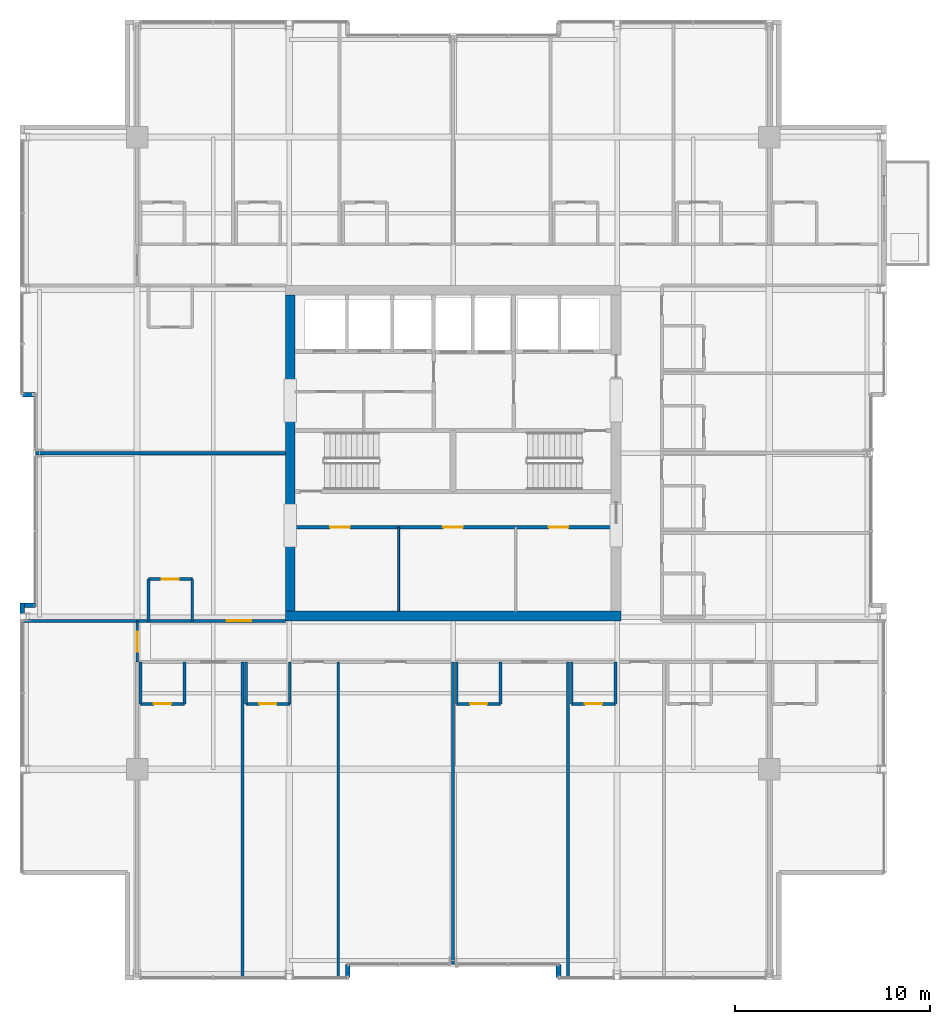
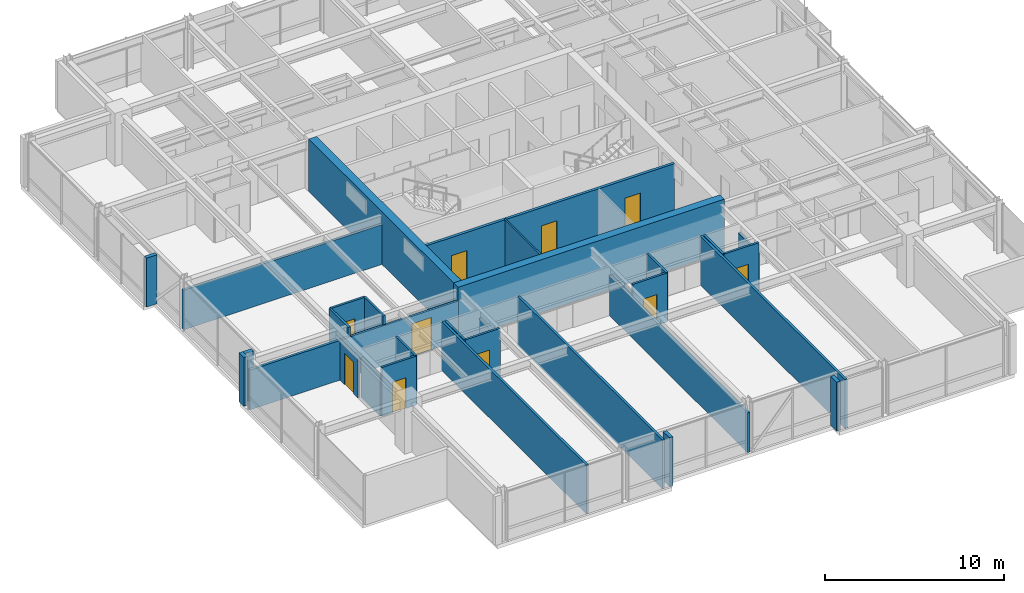
# One storey, part 26 of 33: 32 walls, 10 doors, 10 openings.
"""IFC4 building model written with IfcOpenShell, lengths in metres."""

from ifc_helpers import new_model, si_unit, direction, frame, frame_2d, origin, place, context, subcontext, project, spatial, rectangle, extrude, material, layer, layer_set, type_object, element, fill, save


model = new_model("IFC4")

# Units and contexts
model_context = context("Model", 3, precision=1e-05, world=origin(), true_north=direction((0.0, 1.0)))
body_context = subcontext(model_context, "Body", "Model", "MODEL_VIEW")
ifc_project = project(units=[si_unit("LENGTHUNIT", "METRE"), si_unit("AREAUNIT", "SQUARE_METRE"), si_unit("VOLUMEUNIT", "CUBIC_METRE"), si_unit("PLANEANGLEUNIT", "RADIAN"), si_unit("MASSUNIT", "GRAM", prefix="KILO")], contexts=[model_context])

# Site, building, storey
site_placement = place(None, origin())
site = spatial("IfcSite", under=ifc_project, at=site_placement, CompositionType="ELEMENT")
building_placement = place(site_placement, origin())
building = spatial("IfcBuilding", under=site, at=building_placement, Name="Drelvath Grand Hotel", CompositionType="ELEMENT")
storey_placement = place(building_placement, frame((0.0, 0.0, 212.300048828125)))
storey = spatial("IfcBuildingStorey", under=building, at=storey_placement, Name="L55", CompositionType="ELEMENT", Elevation=212.300048828125)

# Wall
ifc_material_1 = material(Name="Gypsum Partition Board")
ifc_layer_1 = layer(ifc_material_1, 0.10009765625)
ifc_layer_set_1 = layer_set([ifc_layer_1], Name="Gypsum Partition Board")
wall_type_1 = type_object("IfcWallType", Name="Core Closet Partition 100", PredefinedType="PARTITIONING", material=ifc_layer_set_1)
wall_1_placement = place(storey_placement, frame((-2.800048828125, 18.89990234375, 0.0), z_axis=(0.0, 0.0, 1.0), x_axis=(0.0, 1.0, 0.0)))
element("IfcWall", 1, at=wall_1_placement, inside=storey, type_object=wall_type_1, Name="L55 Upper Core Split 1A", PredefinedType="PARTITIONING", context=body_context, shape_type="SweptSolid", body=[
    extrude(rectangle(XDim=4.300048828125, YDim=0.10009765625, at=frame_2d((2.14990234375, 0.0))), origin(), (0.0, 0.0, 1.0), 3.33984375),
])

# Wall, opening, door
ifc_material_2 = material(Name="Gypsum Fireboard Partition")
ifc_layer_2 = layer(ifc_material_2, 0.135009765625)
ifc_layer_set_2 = layer_set([ifc_layer_2], Name="Gypsum Fireboard Partition")
wall_type_2 = type_object("IfcWallType", Name="Corridor Fire Barrier Wall 135", PredefinedType="PARTITIONING", material=ifc_layer_set_2)
wall_2_placement = place(storey_placement, frame((-16.199951171875, 18.39990234375, 0.0), z_axis=(0.0, 0.0, 1.0), x_axis=(1.0, 0.0, 0.0)))
wall_2 = element("IfcWall", 2, at=wall_2_placement, inside=storey, type_object=wall_type_2, Name="L55 South Gallery Inner West Wall", PredefinedType="PARTITIONING", context=body_context, shape_type="SweptSolid", body=[
    extrude(rectangle(XDim=7.599853515625, YDim=0.135009765625, at=frame_2d((3.7998046875, 0.0))), origin(), (0.0, 0.0, 1.0), 2.71728515625),
])
opening_1_placement = place(wall_2_placement, frame((4.5849609375, 0.0, 0.0)))
opening_1 = element("IfcOpeningElement", 3, at=opening_1_placement, cuts=wall_2, Name="Opening D-T4G1-056", PredefinedType="OPENING", context=body_context, shape_type="SweptSolid", body=[
    extrude(rectangle(XDim=1.260009765625, YDim=2.199951171875, at=frame_2d((0.6298828125, 1.10009765625))), frame((0.0, 0.077392578125, 0.0), z_axis=(0.0, -1.0, 0.0), x_axis=(1.0, 0.0, 0.0)), (0.0, 0.0, 1.0), 0.155029296875),
])
ifc_material_3 = material(Name="Hardwood Walnut Timber", Category="wood")
door_type_1 = type_object("IfcDoorType", Name="Suite Entrance Fire Door 1260x2200", OperationType="NOTDEFINED", PredefinedType="DOOR", material=ifc_material_3)
door_1_placement = place(opening_1_placement, origin())
door_1 = element("IfcDoor", 4, at=door_1_placement, inside=storey, type_object=door_type_1, Name="L55 Diplomatic Suite Entry Door", OperationType="SINGLE_SWING_LEFT", OverallHeight=2.199951171875, OverallWidth=1.260009765625, PredefinedType="DOOR", context=body_context, shape_type="SweptSolid", body=[
    extrude(rectangle(XDim=1.260009765625, YDim=2.199951171875, at=frame_2d((0.6298828125, 1.10009765625))), frame((0.0, 0.02490234375, 0.0), z_axis=(0.0, -1.0, 0.0), x_axis=(1.0, 0.0, 0.0)), (0.0, 0.0, 1.0), 0.050048828125),
])
fill(opening_1, door_1)

wall_3_placement = place(storey_placement, frame((-16.199951171875, 16.300048828125, 0.0), z_axis=(0.0, 0.0, 1.0), x_axis=(0.0, 1.0, 0.0)))
wall_3 = element("IfcWall", 5, at=wall_3_placement, inside=storey, type_object=wall_type_2, Name="L55 South Gallery West End", PredefinedType="PARTITIONING", context=body_context, shape_type="SweptSolid", body=[
    extrude(rectangle(XDim=2.099853515625, YDim=0.135009765625, at=frame_2d((1.0498046875, 0.0))), origin(), (0.0, 0.0, 1.0), 2.7138671875),
])
opening_2_placement = place(wall_3_placement, frame((0.52001953125, 0.0, 0.0)))
opening_2 = element("IfcOpeningElement", 6, at=opening_2_placement, cuts=wall_3, Name="Opening D-T4G1-019", PredefinedType="OPENING", context=body_context, shape_type="SweptSolid", body=[
    extrude(rectangle(XDim=1.02001953125, YDim=2.14990234375, at=frame_2d((0.510009765625, 1.074951171875))), frame((0.0, 0.077392578125, 0.0), z_axis=(0.0, -1.0, 0.0), x_axis=(1.0, 0.0, 0.0)), (0.0, 0.0, 1.0), 0.155029296875),
])
door_type_2 = type_object("IfcDoorType", Name="Amenity Meeting Fire Door 1020x2150", OperationType="NOTDEFINED", PredefinedType="DOOR", material=ifc_material_3)
door_2_placement = place(opening_2_placement, origin())
door_2 = element("IfcDoor", 7, at=door_2_placement, inside=storey, type_object=door_type_2, Name="L55 Corner Panorama Lounge Door", OperationType="SINGLE_SWING_RIGHT", OverallHeight=2.14990234375, OverallWidth=1.02001953125, PredefinedType="DOOR", context=body_context, shape_type="SweptSolid", body=[
    extrude(rectangle(XDim=1.02001953125, YDim=2.14990234375, at=frame_2d((0.510009765625, 1.074951171875))), frame((0.0, 0.02490234375, 0.0), z_axis=(0.0, -1.0, 0.0), x_axis=(1.0, 0.0, 0.0)), (0.0, 0.0, 1.0), 0.050048828125),
])
fill(opening_2, door_2)

# Walls
ifc_material_4 = material(Name="Moisture-Resistant Gypsum Board")
ifc_layer_3 = layer(ifc_material_4, 0.139892578125)
ifc_layer_set_3 = layer_set([ifc_layer_3], Name="Moisture-Resistant Gypsum Board")
wall_type_3 = type_object("IfcWallType", Name="En-Suite Plumbing Wall 140", PredefinedType="PLUMBINGWALL", material=ifc_layer_set_3)
wall_4_placement = place(storey_placement, frame((-16.02001953125, 16.300048828125, 0.0), z_axis=(0.0, 0.0, 1.0), x_axis=(0.0, -1.0, 0.0)))
element("IfcWall", 8, at=wall_4_placement, inside=storey, type_object=wall_type_3, Name="L55 En-Suite Left Wall", PredefinedType="PLUMBINGWALL", context=body_context, shape_type="SweptSolid", body=[
    extrude(rectangle(XDim=2.150146484375, YDim=0.139892578125, at=frame_2d((1.0751953125, 0.0))), origin(), (0.0, 0.0, 1.0), 2.7138671875),
])
wall_5_placement = place(storey_placement, frame((-13.77001953125, 16.300048828125, 0.0), z_axis=(0.0, 0.0, 1.0), x_axis=(0.0, -1.0, 0.0)))
element("IfcWall", 9, at=wall_5_placement, inside=storey, type_object=wall_type_3, Name="L55 En-Suite Right Wall", PredefinedType="PLUMBINGWALL", context=body_context, shape_type="SweptSolid", body=[
    extrude(rectangle(XDim=2.150146484375, YDim=0.139892578125, at=frame_2d((1.0751953125, 0.0))), origin(), (0.0, 0.0, 1.0), 3.33984375),
])

# Wall, opening, door
wall_6_placement = place(storey_placement, frame((-16.02001953125, 14.14990234375, 0.0), z_axis=(0.0, 0.0, 1.0), x_axis=(1.0, 0.0, 0.0)))
wall_6 = element("IfcWall", 10, at=wall_6_placement, inside=storey, type_object=wall_type_3, Name="L55 En-Suite Front Wall", PredefinedType="PLUMBINGWALL", context=body_context, shape_type="SweptSolid", body=[
    extrude(rectangle(XDim=2.25, YDim=0.139892578125, at=frame_2d((1.125, 0.0))), origin(), (0.0, 0.0, 1.0), 3.33984375),
])
opening_3_placement = place(wall_6_placement, frame((0.68505859375, 0.0, 0.0)))
opening_3 = element("IfcOpeningElement", 11, at=opening_3_placement, cuts=wall_6, Name="Opening D-T4G1-025", PredefinedType="OPENING", context=body_context, shape_type="SweptSolid", body=[
    extrude(rectangle(XDim=0.8798828125, YDim=2.10009765625, at=frame_2d((0.43994140625, 1.050048828125))), frame((0.0, 0.079833984375, 0.0), z_axis=(0.0, -1.0, 0.0), x_axis=(1.0, 0.0, 0.0)), (0.0, 0.0, 1.0), 0.159912109375),
])
door_type_3 = type_object("IfcDoorType", Name="En-Suite Bathroom Door 880x2100", OperationType="NOTDEFINED", PredefinedType="DOOR", material=ifc_material_3)
door_3_placement = place(opening_3_placement, origin())
door_3 = element("IfcDoor", 12, at=door_3_placement, inside=storey, type_object=door_type_3, Name="L55 En-Suite Bathroom Door", OperationType="SINGLE_SWING_RIGHT", OverallHeight=2.10009765625, OverallWidth=0.8798828125, PredefinedType="DOOR", context=body_context, shape_type="SweptSolid", body=[
    extrude(rectangle(XDim=0.8798828125, YDim=2.10009765625, at=frame_2d((0.43994140625, 1.050048828125))), frame((0.0, 0.02490234375, 0.0), z_axis=(0.0, -1.0, 0.0), x_axis=(1.0, 0.0, 0.0)), (0.0, 0.0, 1.0), 0.050048828125),
])
fill(opening_3, door_3)

# Walls
wall_7_placement = place(storey_placement, frame((-10.6201171875, 16.300048828125, 0.0), z_axis=(0.0, 0.0, 1.0), x_axis=(0.0, -1.0, 0.0)))
element("IfcWall", 13, at=wall_7_placement, inside=storey, type_object=wall_type_3, Name="L55 En-Suite Left Wall", PredefinedType="PLUMBINGWALL", context=body_context, shape_type="SweptSolid", body=[
    extrude(rectangle(XDim=2.150146484375, YDim=0.139892578125, at=frame_2d((1.0751953125, 0.0))), origin(), (0.0, 0.0, 1.0), 3.33984375),
])
wall_8_placement = place(storey_placement, frame((-8.3701171875, 16.300048828125, 0.0), z_axis=(0.0, 0.0, 1.0), x_axis=(0.0, -1.0, 0.0)))
element("IfcWall", 14, at=wall_8_placement, inside=storey, type_object=wall_type_3, Name="L55 En-Suite Right Wall", PredefinedType="PLUMBINGWALL", context=body_context, shape_type="SweptSolid", body=[
    extrude(rectangle(XDim=2.150146484375, YDim=0.139892578125, at=frame_2d((1.0751953125, 0.0))), origin(), (0.0, 0.0, 1.0), 2.71728515625),
])

# Wall, opening, door
wall_9_placement = place(storey_placement, frame((-10.6201171875, 14.14990234375, 0.0), z_axis=(0.0, 0.0, 1.0), x_axis=(1.0, 0.0, 0.0)))
wall_9 = element("IfcWall", 15, at=wall_9_placement, inside=storey, type_object=wall_type_3, Name="L55 En-Suite Front Wall", PredefinedType="PLUMBINGWALL", context=body_context, shape_type="SweptSolid", body=[
    extrude(rectangle(XDim=2.25, YDim=0.139892578125, at=frame_2d((1.125, 0.0))), origin(), (0.0, 0.0, 1.0), 3.33984375),
])
opening_4_placement = place(wall_9_placement, frame((0.68505859375, 0.0, 0.0)))
opening_4 = element("IfcOpeningElement", 16, at=opening_4_placement, cuts=wall_9, Name="Opening D-T4G1-027", PredefinedType="OPENING", context=body_context, shape_type="SweptSolid", body=[
    extrude(rectangle(XDim=0.8798828125, YDim=2.10009765625, at=frame_2d((0.43994140625, 1.050048828125))), frame((0.0, 0.079833984375, 0.0), z_axis=(0.0, -1.0, 0.0), x_axis=(1.0, 0.0, 0.0)), (0.0, 0.0, 1.0), 0.159912109375),
])
door_4_placement = place(opening_4_placement, origin())
door_4 = element("IfcDoor", 17, at=door_4_placement, inside=storey, type_object=door_type_3, Name="L55 En-Suite Bathroom Door", OperationType="SINGLE_SWING_RIGHT", OverallHeight=2.10009765625, OverallWidth=0.8798828125, PredefinedType="DOOR", context=body_context, shape_type="SweptSolid", body=[
    extrude(rectangle(XDim=0.8798828125, YDim=2.10009765625, at=frame_2d((0.43994140625, 1.050048828125))), frame((0.0, 0.02490234375, 0.0), z_axis=(0.0, -1.0, 0.0), x_axis=(1.0, 0.0, 0.0)), (0.0, 0.0, 1.0), 0.050048828125),
])
fill(opening_4, door_4)

# Walls
wall_10_placement = place(storey_placement, frame((0.179931640625, 16.300048828125, 0.0), z_axis=(0.0, 0.0, 1.0), x_axis=(0.0, -1.0, 0.0)))
element("IfcWall", 18, at=wall_10_placement, inside=storey, type_object=wall_type_3, Name="L55 En-Suite Left Wall", PredefinedType="PLUMBINGWALL", context=body_context, shape_type="SweptSolid", body=[
    extrude(rectangle(XDim=2.150146484375, YDim=0.139892578125, at=frame_2d((1.0751953125, 0.0))), origin(), (0.0, 0.0, 1.0), 2.71728515625),
])
wall_11_placement = place(storey_placement, frame((2.429931640625, 16.300048828125, 0.0), z_axis=(0.0, 0.0, 1.0), x_axis=(0.0, -1.0, 0.0)))
element("IfcWall", 19, at=wall_11_placement, inside=storey, type_object=wall_type_3, Name="L55 En-Suite Right Wall", PredefinedType="PLUMBINGWALL", context=body_context, shape_type="SweptSolid", body=[
    extrude(rectangle(XDim=2.150146484375, YDim=0.139892578125, at=frame_2d((1.0751953125, 0.0))), origin(), (0.0, 0.0, 1.0), 3.33984375),
])

# Wall, opening, door
wall_12_placement = place(storey_placement, frame((0.179931640625, 14.14990234375, 0.0), z_axis=(0.0, 0.0, 1.0), x_axis=(1.0, 0.0, 0.0)))
wall_12 = element("IfcWall", 20, at=wall_12_placement, inside=storey, type_object=wall_type_3, Name="L55 En-Suite Front Wall", PredefinedType="PLUMBINGWALL", context=body_context, shape_type="SweptSolid", body=[
    extrude(rectangle(XDim=2.25, YDim=0.139892578125, at=frame_2d((1.125, 0.0))), origin(), (0.0, 0.0, 1.0), 3.33984375),
])
opening_5_placement = place(wall_12_placement, frame((0.68505859375, 0.0, 0.0)))
opening_5 = element("IfcOpeningElement", 21, at=opening_5_placement, cuts=wall_12, Name="Opening D-T4G1-030", PredefinedType="OPENING", context=body_context, shape_type="SweptSolid", body=[
    extrude(rectangle(XDim=0.8798828125, YDim=2.10009765625, at=frame_2d((0.43994140625, 1.050048828125))), frame((0.0, 0.079833984375, 0.0), z_axis=(0.0, -1.0, 0.0), x_axis=(1.0, 0.0, 0.0)), (0.0, 0.0, 1.0), 0.159912109375),
])
door_5_placement = place(opening_5_placement, origin())
door_5 = element("IfcDoor", 22, at=door_5_placement, inside=storey, type_object=door_type_3, Name="L55 En-Suite Bathroom Door", OperationType="SINGLE_SWING_LEFT", OverallHeight=2.10009765625, OverallWidth=0.8798828125, PredefinedType="DOOR", context=body_context, shape_type="SweptSolid", body=[
    extrude(rectangle(XDim=0.8798828125, YDim=2.10009765625, at=frame_2d((0.43994140625, 1.050048828125))), frame((0.0, 0.02490234375, 0.0), z_axis=(0.0, -1.0, 0.0), x_axis=(1.0, 0.0, 0.0)), (0.0, 0.0, 1.0), 0.050048828125),
])
fill(opening_5, door_5)

# Walls
wall_13_placement = place(storey_placement, frame((6.07080078125, 16.300048828125, 0.0), z_axis=(0.0, 0.0, 1.0), x_axis=(0.0, -1.0, 0.0)))
element("IfcWall", 23, at=wall_13_placement, inside=storey, type_object=wall_type_3, Name="L55 En-Suite Left Wall", PredefinedType="PLUMBINGWALL", context=body_context, shape_type="SweptSolid", body=[
    extrude(rectangle(XDim=2.150146484375, YDim=0.139892578125, at=frame_2d((1.0751953125, 0.0))), origin(), (0.0, 0.0, 1.0), 3.33984375),
])
wall_14_placement = place(storey_placement, frame((8.32080078125, 16.300048828125, 0.0), z_axis=(0.0, 0.0, 1.0), x_axis=(0.0, -1.0, 0.0)))
element("IfcWall", 24, at=wall_14_placement, inside=storey, type_object=wall_type_3, Name="L55 En-Suite Right Wall", PredefinedType="PLUMBINGWALL", context=body_context, shape_type="SweptSolid", body=[
    extrude(rectangle(XDim=2.150146484375, YDim=0.139892578125, at=frame_2d((1.0751953125, 0.0))), origin(), (0.0, 0.0, 1.0), 2.71728515625),
])

# Wall, opening, door
wall_15_placement = place(storey_placement, frame((6.07080078125, 14.14990234375, 0.0), z_axis=(0.0, 0.0, 1.0), x_axis=(1.0, 0.0, 0.0)))
wall_15 = element("IfcWall", 25, at=wall_15_placement, inside=storey, type_object=wall_type_3, Name="L55 En-Suite Front Wall", PredefinedType="PLUMBINGWALL", context=body_context, shape_type="SweptSolid", body=[
    extrude(rectangle(XDim=2.25, YDim=0.139892578125, at=frame_2d((1.125, 0.0))), origin(), (0.0, 0.0, 1.0), 3.33984375),
])
opening_6_placement = place(wall_15_placement, frame((0.68505859375, 0.0, 0.0)))
opening_6 = element("IfcOpeningElement", 26, at=opening_6_placement, cuts=wall_15, Name="Opening D-T4G1-032", PredefinedType="OPENING", context=body_context, shape_type="SweptSolid", body=[
    extrude(rectangle(XDim=0.8798828125, YDim=2.10009765625, at=frame_2d((0.43994140625, 1.050048828125))), frame((0.0, 0.079833984375, 0.0), z_axis=(0.0, -1.0, 0.0), x_axis=(1.0, 0.0, 0.0)), (0.0, 0.0, 1.0), 0.159912109375),
])
door_6_placement = place(opening_6_placement, origin())
door_6 = element("IfcDoor", 27, at=door_6_placement, inside=storey, type_object=door_type_3, Name="L55 En-Suite Bathroom Door", OperationType="SINGLE_SWING_LEFT", OverallHeight=2.10009765625, OverallWidth=0.8798828125, PredefinedType="DOOR", context=body_context, shape_type="SweptSolid", body=[
    extrude(rectangle(XDim=0.8798828125, YDim=2.10009765625, at=frame_2d((0.43994140625, 1.050048828125))), frame((0.0, 0.02490234375, 0.0), z_axis=(0.0, -1.0, 0.0), x_axis=(1.0, 0.0, 0.0)), (0.0, 0.0, 1.0), 0.050048828125),
])
fill(opening_6, door_6)

# Walls
for number, where, z_axis, x_axis, name in (
    (28, (-15.6201171875, 18.39990234375, 0.0), (0.0, 0.0, 1.0), (0.0, 1.0, 0.0), "L55 En-Suite Left Wall"),
    (29, (-13.3701171875, 18.39990234375, 0.0), (0.0, 0.0, 1.0), (0.0, 1.0, 0.0), "L55 En-Suite Right Wall"),
):
    element("IfcWall", number, at=place(storey_placement, frame(where, z_axis=z_axis, x_axis=x_axis)), inside=storey, type_object=wall_type_3, Name=name, PredefinedType="PLUMBINGWALL", context=body_context, shape_type="SweptSolid", body=[
        extrude(rectangle(XDim=2.150146484375, YDim=0.139892578125, at=frame_2d((1.0751953125, 0.0))), origin(), (0.0, 0.0, 1.0), 3.33984375),
    ])

# Wall, opening, door
wall_16_placement = place(storey_placement, frame((-15.6201171875, 20.550048828125, 0.0), z_axis=(0.0, 0.0, 1.0), x_axis=(1.0, 0.0, 0.0)))
wall_16 = element("IfcWall", 30, at=wall_16_placement, inside=storey, type_object=wall_type_3, Name="L55 En-Suite Front Wall", PredefinedType="PLUMBINGWALL", context=body_context, shape_type="SweptSolid", body=[
    extrude(rectangle(XDim=2.25, YDim=0.139892578125, at=frame_2d((1.125, 0.0))), origin(), (0.0, 0.0, 1.0), 3.33984375),
])
opening_7_placement = place(wall_16_placement, frame((0.68505859375, 0.0, 0.0)))
opening_7 = element("IfcOpeningElement", 31, at=opening_7_placement, cuts=wall_16, Name="Opening D-T4G1-055", PredefinedType="OPENING", context=body_context, shape_type="SweptSolid", body=[
    extrude(rectangle(XDim=0.8798828125, YDim=2.10009765625, at=frame_2d((0.43994140625, 1.050048828125))), frame((0.0, 0.079833984375, 0.0), z_axis=(0.0, -1.0, 0.0), x_axis=(1.0, 0.0, 0.0)), (0.0, 0.0, 1.0), 0.159912109375),
])
door_7_placement = place(opening_7_placement, origin())
door_7 = element("IfcDoor", 32, at=door_7_placement, inside=storey, type_object=door_type_3, Name="L55 En-Suite Bathroom Door", OperationType="SINGLE_SWING_RIGHT", OverallHeight=2.10009765625, OverallWidth=0.8798828125, PredefinedType="DOOR", context=body_context, shape_type="SweptSolid", body=[
    extrude(rectangle(XDim=0.8798828125, YDim=2.10009765625, at=frame_2d((0.43994140625, 1.050048828125))), frame((0.0, 0.02490234375, 0.0), z_axis=(0.0, -1.0, 0.0), x_axis=(1.0, 0.0, 0.0)), (0.0, 0.0, 1.0), 0.050048828125),
])
fill(opening_7, door_7)

# Wall, openings, doors
ifc_layer_4 = layer(ifc_material_2, 0.179931640625)
ifc_layer_set_4 = layer_set([ifc_layer_4], Name="Gypsum Fireboard Partition")
wall_type_4 = type_object("IfcWallType", Name="FSAE Smoke Lobby Fire Wall 180", PredefinedType="SOLIDWALL", material=ifc_layer_set_4)
wall_17_placement = place(storey_placement, frame((-8.10009765625, 23.199951171875, 0.0), z_axis=(0.0, 0.0, 1.0), x_axis=(1.0, 0.0, 0.0)))
wall_17 = element("IfcWall", 33, at=wall_17_placement, inside=storey, type_object=wall_type_4, Name="L55 Upper Reclaimed Core Wall", PredefinedType="SOLIDWALL", context=body_context, shape_type="SweptSolid", body=[
    extrude(rectangle(XDim=16.2001953125, YDim=0.179931640625, at=frame_2d((8.10009765625, 0.0))), origin(), (0.0, 0.0, 1.0), 3.33984375),
])
opening_8_placement = place(wall_17_placement, frame((1.800048828125, 0.0, 0.0)))
opening_8 = element("IfcOpeningElement", 34, at=opening_8_placement, cuts=wall_17, Name="Opening D-T4G1-016", PredefinedType="OPENING", context=body_context, shape_type="SweptSolid", body=[
    extrude(rectangle(XDim=1.0, YDim=2.10009765625, at=frame_2d((0.5, 1.050048828125))), frame((0.0, 0.099853515625, 0.0), z_axis=(0.0, -1.0, 0.0), x_axis=(1.0, 0.0, 0.0)), (0.0, 0.0, 1.0), 0.199951171875),
])
opening_9_placement = place(wall_17_placement, frame((7.60009765625, 0.0, 0.0)))
opening_9 = element("IfcOpeningElement", 35, at=opening_9_placement, cuts=wall_17, Name="Opening D-T4G1-017", PredefinedType="OPENING", context=body_context, shape_type="SweptSolid", body=[
    extrude(rectangle(XDim=1.0, YDim=2.10009765625, at=frame_2d((0.5, 1.050048828125))), frame((0.0, 0.099853515625, 0.0), z_axis=(0.0, -1.0, 0.0), x_axis=(1.0, 0.0, 0.0)), (0.0, 0.0, 1.0), 0.199951171875),
])
opening_10_placement = place(wall_17_placement, frame((13.0, 0.0, 0.0)))
opening_10 = element("IfcOpeningElement", 36, at=opening_10_placement, cuts=wall_17, Name="Opening D-T4G1-018", PredefinedType="OPENING", context=body_context, shape_type="SweptSolid", body=[
    extrude(rectangle(XDim=1.0, YDim=2.10009765625, at=frame_2d((0.5, 1.050048828125))), frame((0.0, 0.099853515625, 0.0), z_axis=(0.0, -1.0, 0.0), x_axis=(1.0, 0.0, 0.0)), (0.0, 0.0, 1.0), 0.199951171875),
])
ifc_material_5 = material(Name="Painted Steel S275", Category="steel")
door_type_4 = type_object("IfcDoorType", Name="Core Service Fire Door 1000x2100", OperationType="NOTDEFINED", PredefinedType="DOOR", material=ifc_material_5)
door_8_placement = place(opening_8_placement, origin())
door_8 = element("IfcDoor", 37, at=door_8_placement, inside=storey, type_object=door_type_4, Name="L55 Housekeeping Door", OperationType="SINGLE_SWING_LEFT", OverallHeight=2.10009765625, OverallWidth=1.0, PredefinedType="DOOR", context=body_context, shape_type="SweptSolid", body=[
    extrude(rectangle(XDim=1.0, YDim=2.10009765625, at=frame_2d((0.5, 1.050048828125))), frame((0.0, 0.02490234375, 0.0), z_axis=(0.0, -1.0, 0.0), x_axis=(1.0, 0.0, 0.0)), (0.0, 0.0, 1.0), 0.050048828125),
])
fill(opening_8, door_8)
door_9_placement = place(opening_9_placement, origin())
door_9 = element("IfcDoor", 38, at=door_9_placement, inside=storey, type_object=door_type_4, Name="L55 Prep Pantry Door", OperationType="SINGLE_SWING_RIGHT", OverallHeight=2.10009765625, OverallWidth=1.0, PredefinedType="DOOR", context=body_context, shape_type="SweptSolid", body=[
    extrude(rectangle(XDim=1.0, YDim=2.10009765625, at=frame_2d((0.5, 1.050048828125))), frame((0.0, 0.02490234375, 0.0), z_axis=(0.0, -1.0, 0.0), x_axis=(1.0, 0.0, 0.0)), (0.0, 0.0, 1.0), 0.050048828125),
])
fill(opening_9, door_9)
door_10_placement = place(opening_10_placement, origin())
door_10 = element("IfcDoor", 39, at=door_10_placement, inside=storey, type_object=door_type_4, Name="L55 AV Room Door", OperationType="SINGLE_SWING_LEFT", OverallHeight=2.10009765625, OverallWidth=1.0, PredefinedType="DOOR", context=body_context, shape_type="SweptSolid", body=[
    extrude(rectangle(XDim=1.0, YDim=2.10009765625, at=frame_2d((0.5, 1.050048828125))), frame((0.0, 0.02490234375, 0.0), z_axis=(0.0, -1.0, 0.0), x_axis=(1.0, 0.0, 0.0)), (0.0, 0.0, 1.0), 0.050048828125),
])
fill(opening_10, door_10)

# Walls
ifc_material_6 = material(Name="Gypsum Acoustic Partition")
ifc_layer_5 = layer(ifc_material_6, 0.14990234375)
ifc_layer_set_5 = layer_set([ifc_layer_5], Name="Gypsum Acoustic Partition")
wall_type_5 = type_object("IfcWallType", Name="Guestroom Demising Wall 150", PredefinedType="PARTITIONING", material=ifc_layer_set_5)
for number, where, z_axis, x_axis, name in (
    (40, (-10.800048828125, 0.1201171875, 0.0), (0.0, 0.0, 1.0), (0.0, 1.0, 0.0), "L55 South Demising 1"),
    (41, (-5.890869140625, 0.1201171875, 0.0), (0.0, 0.0, 1.0), (0.0, 1.0, 0.0), "L55 South Demising 2"),
):
    element("IfcWall", number, at=place(storey_placement, frame(where, z_axis=z_axis, x_axis=x_axis)), inside=storey, type_object=wall_type_5, Name=name, PredefinedType="PARTITIONING", context=body_context, shape_type="SweptSolid", body=[
        extrude(rectangle(XDim=16.179931640625, YDim=0.14990234375, at=frame_2d((8.08984375, 0.0))), origin(), (0.0, 0.0, 1.0), 3.33984375),
    ])
wall_18_placement = place(storey_placement, frame((0.0, 0.800048828125, 0.0), z_axis=(0.0, 0.0, 1.0), x_axis=(0.0, 1.0, 0.0)))
element("IfcWall", 42, at=wall_18_placement, inside=storey, type_object=wall_type_5, Name="L55 South Demising 3", PredefinedType="PARTITIONING", context=body_context, shape_type="SweptSolid", body=[
    extrude(rectangle(XDim=15.5, YDim=0.14990234375, at=frame_2d((7.75, 0.0))), origin(), (0.0, 0.0, 1.0), 2.7138671875),
])
wall_19_placement = place(storey_placement, frame((5.890869140625, 0.1201171875, 0.0), z_axis=(0.0, 0.0, 1.0), x_axis=(0.0, 1.0, 0.0)))
element("IfcWall", 43, at=wall_19_placement, inside=storey, type_object=wall_type_5, Name="L55 South Demising 4", PredefinedType="PARTITIONING", context=body_context, shape_type="SweptSolid", body=[
    extrude(rectangle(XDim=16.179931640625, YDim=0.14990234375, at=frame_2d((8.08984375, 0.0))), origin(), (0.0, 0.0, 1.0), 3.33984375),
])
ifc_layer_6 = layer(ifc_material_6, 0.1650390625)
ifc_layer_set_6 = layer_set([ifc_layer_6], Name="Gypsum Acoustic Partition")
wall_type_6 = type_object("IfcWallType", Name="Suite Demising Wall 165", PredefinedType="PARTITIONING", material=ifc_layer_set_6)
wall_20_placement = place(storey_placement, frame((-22.080078125, 18.39990234375, 0.0), z_axis=(0.0, 0.0, 1.0), x_axis=(1.0, 0.0, 0.0)))
element("IfcWall", 44, at=wall_20_placement, inside=storey, type_object=wall_type_6, Name="L55 SW Corner North Wall", PredefinedType="PARTITIONING", context=body_context, shape_type="SweptSolid", body=[
    extrude(rectangle(XDim=5.880126953125, YDim=0.1650390625, at=frame_2d((2.93994140625, 0.0))), origin(), (0.0, 0.0, 1.0), 2.7138671875),
])
wall_21_placement = place(storey_placement, frame((-21.39990234375, 27.0, 0.0), z_axis=(0.0, 0.0, 1.0), x_axis=(1.0, 0.0, 0.0)))
element("IfcWall", 45, at=wall_21_placement, inside=storey, type_object=wall_type_6, Name="L55 West Grand Suite Split Wall", PredefinedType="PARTITIONING", context=body_context, shape_type="SweptSolid", body=[
    extrude(rectangle(XDim=12.7998046875, YDim=0.1650390625, at=frame_2d((6.39990234375, 0.0))), origin(), (0.0, 0.0, 1.0), 2.7138671875),
])
ifc_material_7 = material(Name="Pale-Metal Insulated Aluminium Spandrel Assembly", Category="aluminium")
ifc_layer_7 = layer(ifc_material_7, 0.239990234375)
ifc_layer_set_7 = layer_set([ifc_layer_7], Name="Pale-Metal Insulated Aluminium Spandrel Assembly")
wall_type_7 = type_object("IfcWallType", Name="Tower Insulated Metal Spandrel Closure Wall 240", PredefinedType="STANDARD", material=ifc_layer_set_7)
wall_22_placement = place(storey_placement, frame((-22.080078125, 18.785400390625, 0.0), z_axis=(0.0, 0.0, 1.0), x_axis=(0.0, 1.0, 0.0)))
element("IfcWall", 46, at=wall_22_placement, inside=storey, type_object=wall_type_7, Name="L55 Corner Pier Spandrel Wall WS3", PredefinedType="STANDARD", context=body_context, shape_type="SweptSolid", body=[
    extrude(rectangle(XDim=0.53466796875, YDim=0.239990234375, at=frame_2d((0.267333984375, 0.0))), origin(), (0.0, 0.0, 1.0), 3.33984375),
])
wall_23_placement = place(storey_placement, frame((-21.9599609375, 19.199951171875, 0.0), z_axis=(0.0, 0.0, 1.0), x_axis=(1.0, 0.0, 0.0)))
element("IfcWall", 47, at=wall_23_placement, inside=storey, type_object=wall_type_7, Name="L55 Notched Corner Return Spandrel Wall RW1", PredefinedType="STANDARD", context=body_context, shape_type="SweptSolid", body=[
    extrude(rectangle(XDim=0.56005859375, YDim=0.239990234375, at=frame_2d((0.280029296875, 0.0))), origin(), (0.0, 0.0, 1.0), 3.33984375),
])
wall_24_placement = place(storey_placement, frame((-21.39990234375, 30.0, 0.0), z_axis=(0.0, 0.0, 1.0), x_axis=(-1.0, 0.0, 0.0)))
element("IfcWall", 48, at=wall_24_placement, inside=storey, type_object=wall_type_7, Name="L55 Notched Corner Return Spandrel Wall RW2", PredefinedType="STANDARD", context=body_context, shape_type="SweptSolid", body=[
    extrude(rectangle(XDim=0.68017578125, YDim=0.239990234375, at=frame_2d((0.340087890625, 0.0))), origin(), (0.0, 0.0, 1.0), 3.33984375),
])
for number, where, z_axis, x_axis, name in (
    (49, (5.39990234375, 0.1201171875, 0.0), (0.0, 0.0, 1.0), (0.0, 1.0, 0.0), "L55 Notched Corner Return Spandrel Wall RS1"),
    (50, (-5.39990234375, 0.800048828125, 0.0), (0.0, 0.0, 1.0), (0.0, -1.0, 0.0), "L55 Notched Corner Return Spandrel Wall RS2"),
):
    element("IfcWall", number, at=place(storey_placement, frame(where, z_axis=z_axis, x_axis=x_axis)), inside=storey, type_object=wall_type_7, Name=name, PredefinedType="STANDARD", context=body_context, shape_type="SweptSolid", body=[
        extrude(rectangle(XDim=0.679931640625, YDim=0.239990234375, at=frame_2d((0.33984375, 0.0))), origin(), (0.0, 0.0, 1.0), 3.33984375),
    ])
ifc_material_8 = material(Name="Concrete f'c 55 MPa", Category="concrete")
ifc_layer_8 = layer(ifc_material_8, 0.5)
ifc_layer_set_8 = layer_set([ifc_layer_8], Name="Concrete f'c 55 MPa")
wall_type_8 = type_object("IfcWallType", Name="Upper Core RC Shear Wall 500", PredefinedType="SHEAR", material=ifc_layer_set_8)
wall_25_placement = place(storey_placement, frame((8.60009765625, 18.64990234375, 0.0), z_axis=(0.0, 0.0, 1.0), x_axis=(-1.0, 0.0, 0.0)))
element("IfcWall", 51, at=wall_25_placement, inside=storey, type_object=wall_type_8, Name="L55 Central Core Shear Wall S", PredefinedType="SHEAR", context=body_context, shape_type="SweptSolid", body=[
    extrude(rectangle(XDim=17.2001953125, YDim=0.5, at=frame_2d((8.60009765625, 0.0))), origin(), (0.0, 0.0, 1.0), 3.599853515625),
])
wall_26_placement = place(storey_placement, frame((-8.35009765625, 18.89990234375, 0.0), z_axis=(0.0, 0.0, 1.0), x_axis=(0.0, 1.0, 0.0)))
element("IfcWall", 52, at=wall_26_placement, inside=storey, type_object=wall_type_8, Name="L55 Central Core Shear Wall W", PredefinedType="SHEAR", context=body_context, shape_type="SweptSolid", body=[
    extrude(rectangle(XDim=16.2001953125, YDim=0.5, at=frame_2d((8.10009765625, 0.0))), origin(), (0.0, 0.0, 1.0), 3.599853515625),
])

save(model, "model.ifc")
